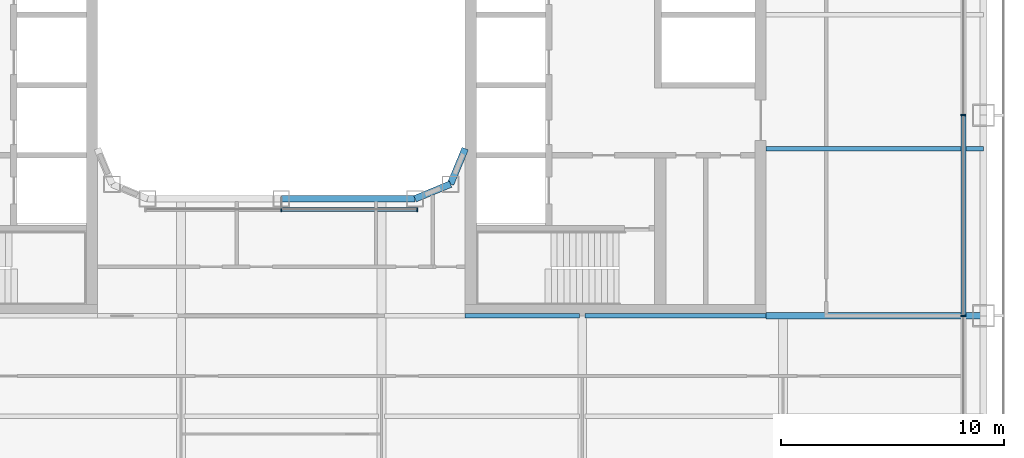
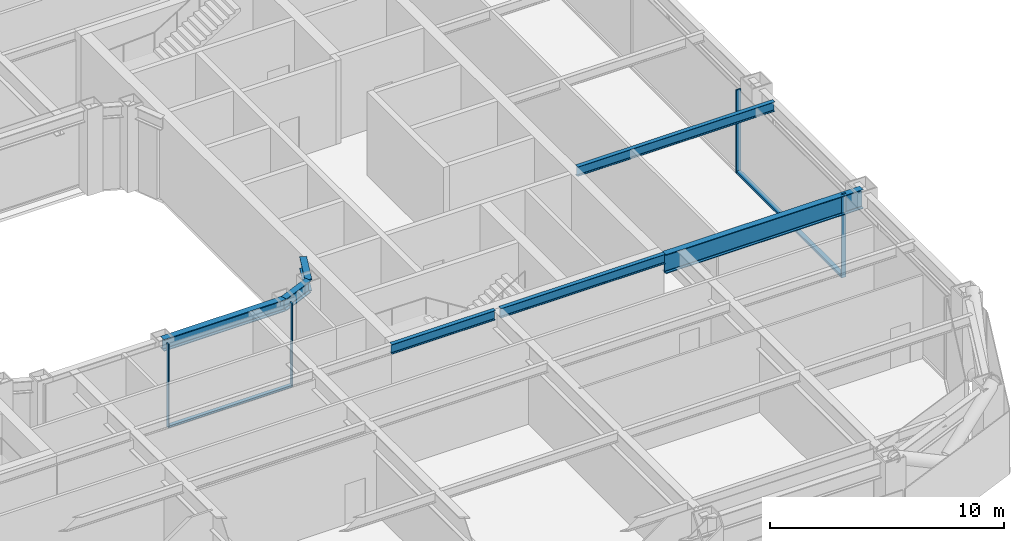
# One storey, part 5 of 29: 7 beams, 6 members, 2 elements without a shape of their own.
"""IFC4 building model written with IfcOpenShell, lengths in metres."""

from ifc_helpers import new_model, si_unit, direction, frame, origin, origin_2d, place, context, subcontext, project, spatial, rectangle, i_section, extrude, material, layer, layer_set, material_profile, profile_set, type_object, element, aggregate, save


model = new_model("IFC4")

# Units and contexts
model_context = context("Model", 3, precision=1e-05, world=origin(), true_north=direction((0.0, 1.0)))
body_context = subcontext(model_context, "Body", "Model", "MODEL_VIEW")
ifc_project = project(units=[si_unit("LENGTHUNIT", "METRE"), si_unit("AREAUNIT", "SQUARE_METRE"), si_unit("VOLUMEUNIT", "CUBIC_METRE"), si_unit("PLANEANGLEUNIT", "RADIAN"), si_unit("MASSUNIT", "GRAM", prefix="KILO")], contexts=[model_context])

# Site, building, storey
site_placement = place(None, origin())
site = spatial("IfcSite", under=ifc_project, at=site_placement, CompositionType="ELEMENT")
building_placement = place(site_placement, origin())
building = spatial("IfcBuilding", under=site, at=building_placement, Name="Siwar Civic Tower", CompositionType="ELEMENT")
storey_placement = place(building_placement, frame((0.0, 0.0, 67.199951171875)))
storey = spatial("IfcBuildingStorey", under=building, at=storey_placement, Name="L14", CompositionType="ELEMENT", Elevation=67.199951171875)

# Curtain wall, members
ifc_material_1 = material(Name="Aluminium and glass", Category="aluminium")
ifc_layer_1 = layer(ifc_material_1, 0.219970703125)
ifc_layer_set_1 = layer_set([ifc_layer_1], Name="Aluminium and glass")
curtain_wall_type_1 = type_object("IfcCurtainWallType", Name="ENV-CW-A", PredefinedType="NOTDEFINED", material=ifc_layer_set_1)
curtain_wall_1_placement = place(storey_placement, origin())
curtain_wall_1 = element("IfcCurtainWall", 1, at=curtain_wall_1_placement, inside=storey, type_object=curtain_wall_type_1, Name="Curtain wall A E", PredefinedType="NOTDEFINED")
ifc_material_2 = material(Name="Aluminium 6063-T6", Category="aluminium")
ifc_material_profile_1 = material_profile(ifc_material_2, rectangle(XDim=0.219970703125, YDim=0.070068359375, at=origin_2d()), Name="AL 220x70")
ifc_profile_set_1 = profile_set([ifc_material_profile_1], Name="Aluminium 6063-T6")
member_type_1 = type_object("IfcMemberType", Name="ENV-MULLION-A", PredefinedType="MULLION", material=ifc_profile_set_1)
member_1_placement = place(storey_placement, frame((30.60009765625, -13.5, 0.0), z_axis=(0.0, 0.0, 1.0), x_axis=(-1.0, 0.0, 0.0)))
member_1 = element("IfcMember", 2, at=member_1_placement, type_object=member_type_1, Name="Mullion A E 2", PredefinedType="MULLION", context=body_context, shape_type="SweptSolid", body=[
    extrude(rectangle(XDim=0.219970703125, YDim=0.070068359375, at=origin_2d()), origin(), (0.0, 0.0, 1.0), 4.35009765625),
])
member_2_placement = place(storey_placement, frame((30.60009765625, -4.5, 0.0), z_axis=(0.0, 0.0, 1.0), x_axis=(-1.0, 0.0, 0.0)))
member_2 = element("IfcMember", 3, at=member_2_placement, type_object=member_type_1, Name="Mullion A E 3", PredefinedType="MULLION", context=body_context, shape_type="SweptSolid", body=[
    extrude(rectangle(XDim=0.219970703125, YDim=0.070068359375, at=origin_2d()), origin(), (0.0, 0.0, 1.0), 4.35009765625),
])

ifc_material_3 = material(Name="Aluminium and glass", Category="aluminium")
ifc_layer_2 = layer(ifc_material_3, 0.179931640625)
ifc_layer_set_2 = layer_set([ifc_layer_2], Name="Aluminium and glass")
curtain_wall_type_2 = type_object("IfcCurtainWallType", Name="ENV-CW-W", PredefinedType="NOTDEFINED", material=ifc_layer_set_2)
curtain_wall_2_placement = place(storey_placement, origin())
curtain_wall_2 = element("IfcCurtainWall", 4, at=curtain_wall_2_placement, inside=storey, type_object=curtain_wall_type_2, Name="Curtain wall W WS", PredefinedType="NOTDEFINED")
ifc_material_4 = material(Name="Aluminium 6063-T6", Category="aluminium")
ifc_material_profile_2 = material_profile(ifc_material_4, rectangle(XDim=0.179931640625, YDim=0.06005859375, at=origin_2d()), Name="AL 180x60")
ifc_profile_set_2 = profile_set([ifc_material_profile_2], Name="Aluminium 6063-T6")
member_type_2 = type_object("IfcMemberType", Name="ENV-MULLION-W", PredefinedType="MULLION", material=ifc_profile_set_2)
member_3_placement = place(storey_placement, frame((0.0, -8.735107421875, 0.0), z_axis=(0.0, 0.0, 1.0), x_axis=(0.0, 1.0, 0.0)))
member_3 = element("IfcMember", 5, at=member_3_placement, type_object=member_type_2, Name="Mullion W WS 2", PredefinedType="MULLION", context=body_context, shape_type="SweptSolid", body=[
    extrude(rectangle(XDim=0.179931640625, YDim=0.06005859375, at=origin_2d()), origin(), (0.0, 0.0, 1.0), 4.35009765625),
])
member_4_placement = place(storey_placement, frame((6.096435546875, -8.735107421875, 0.0), z_axis=(0.0, 0.0, 1.0), x_axis=(0.0, 1.0, 0.0)))
member_4 = element("IfcMember", 6, at=member_4_placement, type_object=member_type_2, Name="Mullion W WS 3", PredefinedType="MULLION", context=body_context, shape_type="SweptSolid", body=[
    extrude(rectangle(XDim=0.179931640625, YDim=0.06005859375, at=origin_2d()), origin(), (0.0, 0.0, 1.0), 4.35009765625),
])

# Member
ifc_material_5 = material(Name="Aluminium 6063-T6", Category="aluminium")
ifc_material_profile_3 = material_profile(ifc_material_5, rectangle(XDim=0.219970703125, YDim=0.1201171875, at=origin_2d()), Name="AL 220x120")
ifc_profile_set_3 = profile_set([ifc_material_profile_3], Name="Aluminium 6063-T6")
member_type_3 = type_object("IfcMemberType", Name="ENV-TRANSOM-A", PredefinedType="USERDEFINED", material=ifc_profile_set_3)
member_5_placement = place(storey_placement, frame((30.60009765625, -13.465087890625, 0.06005859375), z_axis=(0.0, 1.0, 0.0), x_axis=(-1.0, 0.0, 0.0)))
member_5 = element("IfcMember", 7, at=member_5_placement, type_object=member_type_3, Name="Transom A E 2", ObjectType="TRANSOM", PredefinedType="USERDEFINED", context=body_context, shape_type="SweptSolid", body=[
    extrude(rectangle(XDim=0.219970703125, YDim=0.1201171875, at=origin_2d()), origin(), (0.0, 0.0, 1.0), 8.93017578125),
])

aggregate(curtain_wall_1, [member_1, member_2, member_5])

ifc_material_6 = material(Name="Aluminium 6063-T6", Category="aluminium")
ifc_material_profile_4 = material_profile(ifc_material_6, rectangle(XDim=0.179931640625, YDim=0.10009765625, at=origin_2d()), Name="AL 180x100")
ifc_profile_set_4 = profile_set([ifc_material_profile_4], Name="Aluminium 6063-T6")
member_type_4 = type_object("IfcMemberType", Name="ENV-TRANSOM-W", PredefinedType="USERDEFINED", material=ifc_profile_set_4)
member_6_placement = place(storey_placement, frame((0.030029296875, -8.735107421875, 0.050048828125), z_axis=(1.0, 0.0, 0.0), x_axis=(0.0, 1.0, 0.0)))
member_6 = element("IfcMember", 8, at=member_6_placement, type_object=member_type_4, Name="Transom W WS 2", ObjectType="TRANSOM", PredefinedType="USERDEFINED", context=body_context, shape_type="SweptSolid", body=[
    extrude(rectangle(XDim=0.179931640625, YDim=0.10009765625, at=origin_2d()), origin(), (0.0, 0.0, 1.0), 6.036376953125),
])

aggregate(curtain_wall_2, [member_3, member_4, member_6])

# Beams
ifc_material_7 = material(Name="Steel S355", Category="steel")
ifc_material_profile_5 = material_profile(ifc_material_7, i_section(OverallWidth=0.199951171875, OverallDepth=0.5, WebThickness=0.01025390625, FlangeThickness=0.01611328125, FilletRadius=0.02099609375, at=origin_2d()), Name="IPE500")
ifc_profile_set_5 = profile_set([ifc_material_profile_5], Name="Steel S355")
beam_type_1 = type_object("IfcBeamType", Name="STR-FB-IPE500", PredefinedType="JOIST", material=ifc_profile_set_5)
beam_1_placement = place(storey_placement, frame((8.25, -13.5, 4.10009765625), z_axis=(1.0, 0.0, 0.0), x_axis=(0.0, 1.0, 0.0)))
element("IfcBeam", 9, at=beam_1_placement, inside=storey, type_object=beam_type_1, Name="L14/bm/F028", PredefinedType="JOIST", context=body_context, shape_type="SweptSolid", body=[
    extrude(i_section(OverallWidth=0.199951171875, OverallDepth=0.5, WebThickness=0.01025390625, FlangeThickness=0.01611328125, FilletRadius=0.02099609375, at=origin_2d()), origin(), (0.0, 0.0, 1.0), 5.1201171875),
])
beam_2_placement = place(storey_placement, frame((13.6298828125, -13.5, 4.10009765625), z_axis=(1.0, 0.0, 0.0), x_axis=(0.0, 1.0, 0.0)))
element("IfcBeam", 10, at=beam_2_placement, inside=storey, type_object=beam_type_1, Name="L14/bm/F029", PredefinedType="JOIST", context=body_context, shape_type="SweptSolid", body=[
    extrude(i_section(OverallWidth=0.199951171875, OverallDepth=0.5, WebThickness=0.01025390625, FlangeThickness=0.01611328125, FilletRadius=0.02099609375, at=origin_2d()), origin(), (0.0, 0.0, 1.0), 8.1201171875),
])
beam_3_placement = place(storey_placement, frame((21.75, -6.0, 4.10009765625), z_axis=(1.0, 0.0, 0.0), x_axis=(0.0, 1.0, 0.0)))
element("IfcBeam", 11, at=beam_3_placement, inside=storey, type_object=beam_type_1, Name="L14/bm/F032", PredefinedType="JOIST", context=body_context, shape_type="SweptSolid", body=[
    extrude(i_section(OverallWidth=0.199951171875, OverallDepth=0.5, WebThickness=0.01025390625, FlangeThickness=0.01611328125, FilletRadius=0.02099609375, at=origin_2d()), origin(), (0.0, 0.0, 1.0), 9.75),
])
ifc_material_8 = material(Name="Steel S355", Category="steel")
ifc_material_profile_6 = material_profile(ifc_material_8, i_section(OverallWidth=0.300048828125, OverallDepth=1.0, WebThickness=0.01904296875, FlangeThickness=0.035888671875, FilletRadius=0.030029296875, at=origin_2d()), Name="HEB1000")
ifc_profile_set_6 = profile_set([ifc_material_profile_6], Name="Steel S355")
beam_type_2 = type_object("IfcBeamType", Name="STR-PG-HEB1000", PredefinedType="BEAM", material=ifc_profile_set_6)
beam_4_placement = place(storey_placement, frame((21.75, -13.5, 3.85009765625), z_axis=(1.0, 0.0, 0.0), x_axis=(0.0, 1.0, 0.0)))
element("IfcBeam", 12, at=beam_4_placement, inside=storey, type_object=beam_type_2, Name="L14/bm/F030", PredefinedType="BEAM", context=body_context, shape_type="SweptSolid", body=[
    extrude(i_section(OverallWidth=0.300048828125, OverallDepth=1.0, WebThickness=0.01904296875, FlangeThickness=0.035888671875, FilletRadius=0.030029296875, at=origin_2d()), origin(), (0.0, 0.0, 1.0), 9.75),
])
ifc_material_9 = material(Name="Steel S355", Category="steel")
ifc_material_profile_7 = material_profile(ifc_material_9, i_section(OverallWidth=0.304931640625, OverallDepth=0.6201171875, WebThickness=0.02099609375, FlangeThickness=0.0400390625, FilletRadius=0.027099609375, at=origin_2d()), Name="HEM600")
ifc_profile_set_7 = profile_set([ifc_material_profile_7], Name="Steel S355")
beam_type_3 = type_object("IfcBeamType", Name="STR-RB-HEM600", PredefinedType="BEAM", material=ifc_profile_set_7)
beam_5_placement = place(storey_placement, frame((0.0, -8.25, 4.0400390625), z_axis=(1.0, 0.0, 0.0), x_axis=(0.0, 1.0, 0.0)))
element("IfcBeam", 13, at=beam_5_placement, inside=storey, type_object=beam_type_3, Name="L14/bm/RS2", PredefinedType="BEAM", context=body_context, shape_type="SweptSolid", body=[
    extrude(i_section(OverallWidth=0.304931640625, OverallDepth=0.6201171875, WebThickness=0.02099609375, FlangeThickness=0.0400390625, FilletRadius=0.027099609375, at=origin_2d()), origin(), (0.0, 0.0, 1.0), 6.0),
])
for number, where, z_axis, x_axis, name in (
    (14, (6.0, -8.25, 4.0400390625), (0.923901072997, 0.382631424892, 0.0), (-0.382631424892, 0.923901072997, 0.0), "L14/bm/RS3"),
    (15, (7.591064453125, -7.591064453125, 4.0400390625), (0.382631424892, 0.923901072997, 0.0), (-0.923901072997, 0.382631424892, 0.0), "L14/bm/RSEE"),
):
    element("IfcBeam", number, at=place(storey_placement, frame(where, z_axis=z_axis, x_axis=x_axis)), inside=storey, type_object=beam_type_3, Name=name, PredefinedType="BEAM", context=body_context, shape_type="SweptSolid", body=[
        extrude(i_section(OverallWidth=0.304931640625, OverallDepth=0.6201171875, WebThickness=0.02099609375, FlangeThickness=0.0400390625, FilletRadius=0.027099609375, at=origin_2d()), origin(), (0.0, 0.0, 1.0), 1.72216796875),
    ])

save(model, "model.ifc")
